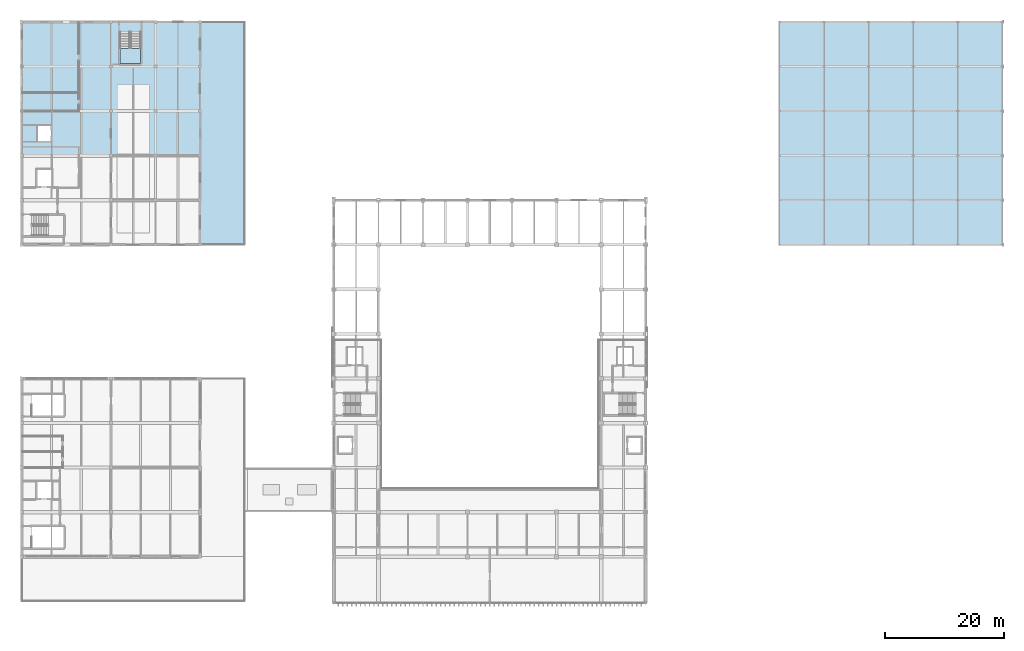
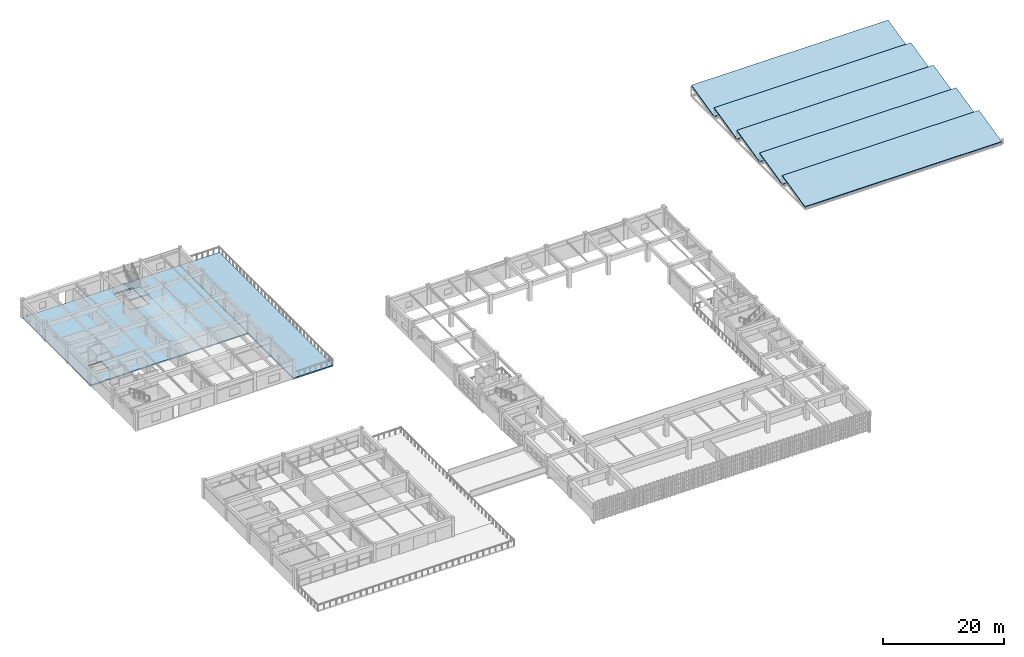
# One storey, part 54 of 82: 8 slabs, 1 element without a shape of its own.
"""IFC4 building model written with IfcOpenShell, lengths in metres."""

from ifc_helpers import new_model, si_unit, direction, frame, origin, place, context, subcontext, project, spatial, polyline, outline, extrude, material, layer, layer_set, type_object, element, aggregate, save


model = new_model("IFC4")

# Units and contexts
model_context = context("Model", 3, precision=1e-05, world=origin(), true_north=direction((0.0, 1.0)))
body_context = subcontext(model_context, "Body", "Model", "MODEL_VIEW")
ifc_project = project(units=[si_unit("LENGTHUNIT", "METRE"), si_unit("AREAUNIT", "SQUARE_METRE"), si_unit("VOLUMEUNIT", "CUBIC_METRE"), si_unit("PLANEANGLEUNIT", "RADIAN"), si_unit("MASSUNIT", "GRAM", prefix="KILO")], contexts=[model_context])

# Site, building, storey
site_placement = place(None, origin())
site = spatial("IfcSite", under=ifc_project, at=site_placement, CompositionType="ELEMENT")
building_placement = place(site_placement, origin())
building = spatial("IfcBuilding", under=site, at=building_placement, Name="Qasida Concert Hall", CompositionType="ELEMENT")
storey_placement = place(building_placement, frame((0.0, 0.0, 17.10009765625)))
storey = spatial("IfcBuildingStorey", under=building, at=storey_placement, Name="L04", CompositionType="ELEMENT", Elevation=17.10009765625)

# Slab
ifc_material = material(Name="Concrete C40/50", Category="concrete")
ifc_layer_1 = layer(ifc_material, 0.239990234375, Name="Concrete C40/50")
ifc_layer_set_1 = layer_set([ifc_layer_1], Name="Concrete C40/50")
slab_type_1 = type_object("IfcSlabType", Name="SL-FS-240", PredefinedType="FLOOR", material=ifc_layer_set_1)
slab_1_placement = place(storey_placement, frame((0.0, 0.0, -0.239990234375)))
element("IfcSlab", 1, at=slab_1_placement, inside=storey, type_object=slab_type_1, Name="V5 percussion & harp north (FS-240)", PredefinedType="FLOOR", context=body_context, shape_type="SweptSolid", body=[
    extrude(outline(polyline([(0.0, 90.0), (30.0, 90.0), (30.0, 112.5), (0.0, 112.5), (0.0, 90.0)]), holes=[polyline([(2.550048828125, 92.35009765625), (4.949951171875, 92.35009765625), (4.949951171875, 95.14990234375), (2.550048828125, 95.14990234375), (2.550048828125, 92.35009765625)]), polyline([(16.5, 105.47998046875), (20.0, 105.47998046875), (20.0, 110.840087890625), (16.5, 110.840087890625), (16.5, 105.47998046875)])]), origin(), (0.0, 0.0, 1.0), 0.239990234375),
])

# Stair, slab
stair_type = type_object("IfcStairType", Name="ST-DL-165", PredefinedType="HALF_TURN_STAIR", material=ifc_material)
stair_placement = place(storey_placement, origin())
stair = element("IfcStair", 2, at=stair_placement, inside=storey, type_object=stair_type, Name="L04 Exit stair ST-06", PredefinedType="HALF_TURN_STAIR")
ifc_layer_2 = layer(ifc_material, 0.199951171875, Name="Concrete C40/50")
ifc_layer_set_2 = layer_set([ifc_layer_2], Name="Concrete C40/50")
slab_type_2 = type_object("IfcSlabType", Name="SL-LND-200", PredefinedType="LANDING", material=ifc_layer_set_2)
slab_2_placement = place(storey_placement, frame((0.0, 0.0, 1.75)))
slab_2 = element("IfcSlab", 3, at=slab_2_placement, type_object=slab_type_2, Name="ST-06 landing 1", PredefinedType="LANDING", context=body_context, shape_type="SweptSolid", body=[
    extrude(outline(polyline([(16.5, 108.050048828125), (16.5, 105.47998046875), (20.0, 105.47998046875), (20.0, 108.050048828125), (16.5, 108.050048828125)])), origin(), (0.0, 0.0, 1.0), 0.199951171875),
])
aggregate(stair, [slab_2])

# Slabs
ifc_layer_3 = layer(ifc_material, 0.2099609375, Name="Concrete C40/50")
ifc_layer_set_3 = layer_set([ifc_layer_3], Name="Concrete C40/50")
slab_type_3 = type_object("IfcSlabType", Name="SL-RS-210", PredefinedType="ROOF", material=ifc_layer_set_3)
for number, where, z_axis, x_axis, name in (
    (4, (127.5, 75.0, 0.419921875), (0.0, -0.227229615606, 0.973841209742), (1.0, 0.0, 0.0), "V4 Sawtooth acoustic roof bay 01"),
    (5, (127.5, 82.5, 0.419921875), (0.0, -0.227229615606, 0.973841209742), (1.0, 0.0, 0.0), "V4 Sawtooth acoustic roof bay 02"),
    (6, (127.5, 90.0, 0.419921875), (0.0, -0.227229615606, 0.973841209742), (1.0, 0.0, 0.0), "V4 Sawtooth acoustic roof bay 03"),
    (7, (127.5, 97.5, 0.419921875), (0.0, -0.227229615606, 0.973841209742), (1.0, 0.0, 0.0), "V4 Sawtooth acoustic roof bay 04"),
    (8, (127.5, 105.0, 0.419921875), (0.0, -0.227229615606, 0.973841209742), (1.0, 0.0, 0.0), "V4 Sawtooth acoustic roof bay 05"),
):
    element("IfcSlab", number, at=place(storey_placement, frame(where, z_axis=z_axis, x_axis=x_axis)), inside=storey, type_object=slab_type_3, Name=name, PredefinedType="ROOF", context=body_context, shape_type="SweptSolid", body=[
        extrude(outline(polyline([(0.0, 0.0), (37.5, 0.0), (37.5, 7.7014609003746815), (0.0, 7.7014609003746815), (0.0, 0.0)])), origin(), (0.0, 0.0, -1.0), 0.2099609375),
    ])
ifc_layer_4 = layer(ifc_material, 0.260009765625, Name="Concrete C40/50")
ifc_layer_set_4 = layer_set([ifc_layer_4], Name="Concrete C40/50")
slab_type_4 = type_object("IfcSlabType", Name="SL-TS-260", PredefinedType="ROOF", material=ifc_layer_set_4)
slab_3_placement = place(storey_placement, frame((0.0, 0.0, -0.260009765625)))
element("IfcSlab", 9, at=slab_3_placement, inside=storey, type_object=slab_type_4, Name="V5 ziggurat east terrace (TS-260)", PredefinedType="ROOF", context=body_context, shape_type="SweptSolid", body=[
    extrude(outline(polyline([(30.0, 75.0), (37.5, 75.0), (37.5, 112.5), (30.0, 112.5), (30.0, 75.0)])), origin(), (0.0, 0.0, 1.0), 0.260009765625),
])

save(model, "model.ifc")
